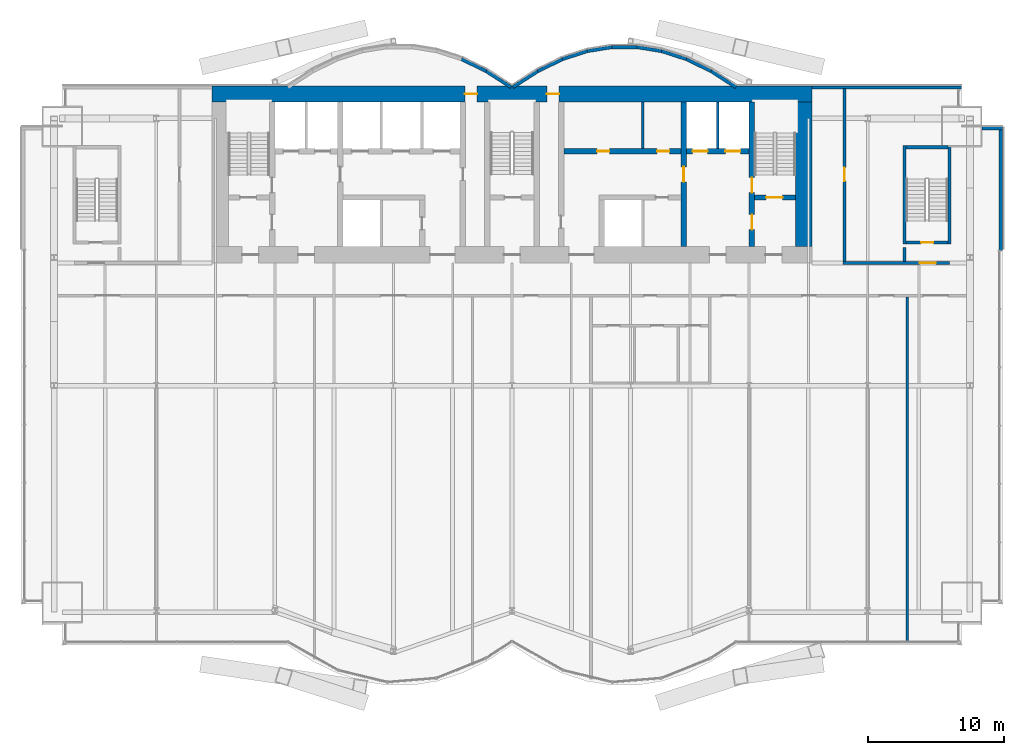
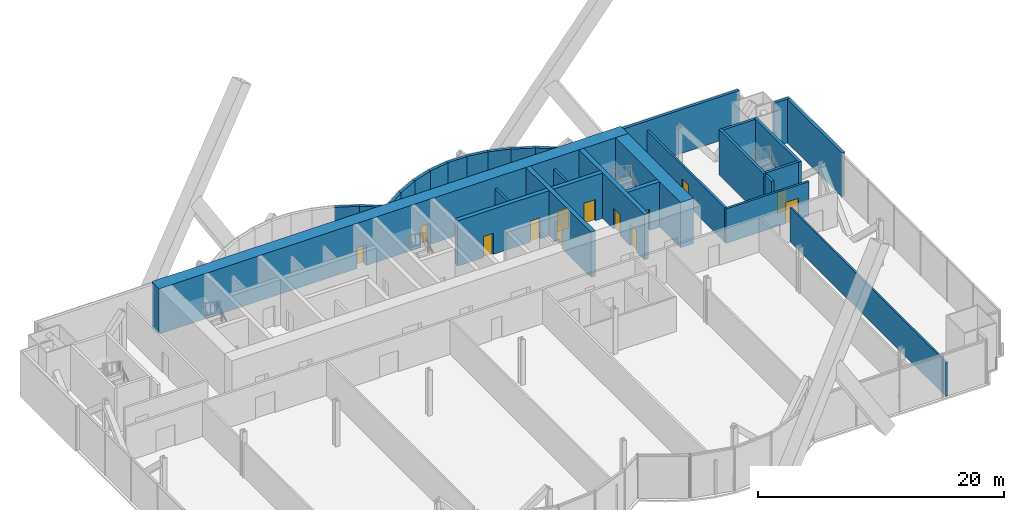
# One storey, part 19 of 23: 30 walls, 13 doors, 13 openings.
"""IFC4 building model written with IfcOpenShell, lengths in metres."""

from ifc_helpers import new_model, si_unit, direction, frame, frame_2d, origin, place, context, subcontext, project, spatial, rectangle, extrude, material, layer, layer_set, layer_usage, type_object, element, fill, save


model = new_model("IFC4")

# Units and contexts
model_context = context("Model", 3, precision=1e-05, world=origin(), true_north=direction((0.0, 1.0)))
body_context = subcontext(model_context, "Body", "Model", "MODEL_VIEW")
ifc_project = project(units=[si_unit("LENGTHUNIT", "METRE"), si_unit("AREAUNIT", "SQUARE_METRE"), si_unit("VOLUMEUNIT", "CUBIC_METRE"), si_unit("PLANEANGLEUNIT", "RADIAN"), si_unit("MASSUNIT", "GRAM", prefix="KILO")], contexts=[model_context])

# Site, building, storey
site_placement = place(None, origin())
site = spatial("IfcSite", under=ifc_project, at=site_placement, CompositionType="ELEMENT")
building_placement = place(site_placement, origin())
building = spatial("IfcBuilding", under=site, at=building_placement, Name="Bicima Exchange Tower", CompositionType="ELEMENT")
storey_placement = place(building_placement, frame((0.0, 0.0, 53.0)))
storey = spatial("IfcBuildingStorey", under=building, at=storey_placement, Name="L10", CompositionType="ELEMENT", Elevation=53.0)

# Wall
ifc_material_1 = material(Name="Gypsum board partition")
ifc_layer_1 = layer(ifc_material_1, 0.199951171875)
ifc_layer_set_1 = layer_set([ifc_layer_1], Name="Gypsum board partition")
wall_type_1 = type_object("IfcWallType", Name="Fire-rated gypsum partition 200 EI120", PredefinedType="PARTITIONING", material=ifc_layer_set_1)
wall_1_placement = place(storey_placement, frame((15.10009765625, -4.60009765625, 0.0), z_axis=(0.0, 0.0, 1.0), x_axis=(0.0, 1.0, 0.0)))
element("IfcWall", 1, at=wall_1_placement, inside=storey, type_object=wall_type_1, Name="partition wall 23", PredefinedType="PARTITIONING", context=body_context, shape_type="SweptSolid", body=[
    extrude(rectangle(XDim=3.400146484375, YDim=0.199951171875, at=frame_2d((1.7001953125, 0.0))), origin(), (0.0, 0.0, 1.0), 3.418212890625),
])

# Wall, opening, door
ifc_layer_2 = layer(ifc_material_1, 0.199951171875)
ifc_layer_set_2 = layer_set([ifc_layer_2], Name="Gypsum board partition")
wall_type_2 = type_object("IfcWallType", Name="Fire-rated gypsum partition 200 EI60", PredefinedType="PARTITIONING", material=ifc_layer_set_2)
wall_2_placement = place(storey_placement, frame((24.300048828125, -13.0, 0.0), z_axis=(0.0, 0.0, 1.0), x_axis=(1.0, 0.0, 0.0)))
wall_2 = element("IfcWall", 2, at=wall_2_placement, inside=storey, type_object=wall_type_2, Name="partition wall 5", PredefinedType="PARTITIONING", context=body_context, shape_type="SweptSolid", body=[
    extrude(rectangle(XDim=7.800048828125, YDim=0.199951171875, at=frame_2d((3.89990234375, 0.0))), origin(), (0.0, 0.0, 1.0), 3.418212890625),
])
opening_1_placement = place(wall_2_placement, frame((5.60009765625, 0.0, 0.0)))
opening_1 = element("IfcOpeningElement", 3, at=opening_1_placement, cuts=wall_2, Name="Opening L10-003", PredefinedType="OPENING", context=body_context, shape_type="SweptSolid", body=[
    extrude(rectangle(XDim=1.199951171875, YDim=2.10009765625, at=frame_2d((0.60009765625, 1.050048828125))), frame((0.0, 0.11181640625, 0.0), z_axis=(0.0, -1.0, 0.0), x_axis=(1.0, 0.0, 0.0)), (0.0, 0.0, 1.0), 0.223876953125),
])
ifc_material_2 = material(Name="Steel fire door leaf", Category="steel")
door_type_1 = type_object("IfcDoorType", Name="Door 1200 swing FD30S", OperationType="SINGLE_SWING_LEFT", PredefinedType="DOOR", material=ifc_material_2)
door_1_placement = place(opening_1_placement, origin())
door_1 = element("IfcDoor", 4, at=door_1_placement, inside=storey, type_object=door_type_1, Name="Door", OperationType="SINGLE_SWING_RIGHT", OverallHeight=2.10009765625, OverallWidth=1.199951171875, PredefinedType="DOOR", context=body_context, shape_type="SweptSolid", body=[
    extrude(rectangle(XDim=1.199951171875, YDim=2.10009765625, at=frame_2d((0.60009765625, 1.050048828125))), frame((0.0, 0.02490234375, 0.0), z_axis=(0.0, -1.0, 0.0), x_axis=(1.0, 0.0, 0.0)), (0.0, 0.0, 1.0), 0.050048828125),
])
fill(opening_1, door_1)

wall_3_placement = place(storey_placement, frame((24.39990234375, -12.89990234375, 0.0), z_axis=(0.0, 0.0, 1.0), x_axis=(0.0, 1.0, 0.0)))
wall_3 = element("IfcWall", 5, at=wall_3_placement, inside=storey, type_object=wall_type_2, Name="partition wall 25", PredefinedType="PARTITIONING", context=body_context, shape_type="SweptSolid", body=[
    extrude(rectangle(XDim=12.68994140625, YDim=0.199951171875, at=frame_2d((6.344970703125, 0.0))), origin(), (0.0, 0.0, 1.0), 3.418212890625),
])
opening_2_placement = place(wall_3_placement, frame((5.89990234375, 0.0, 0.0)))
opening_2 = element("IfcOpeningElement", 6, at=opening_2_placement, cuts=wall_3, Name="Opening L10-006", PredefinedType="OPENING", context=body_context, shape_type="SweptSolid", body=[
    extrude(rectangle(XDim=1.0, YDim=2.10009765625, at=frame_2d((0.5, 1.050048828125))), frame((0.0, 0.11181640625, 0.0), z_axis=(0.0, -1.0, 0.0), x_axis=(1.0, 0.0, 0.0)), (0.0, 0.0, 1.0), 0.223876953125),
])
door_type_2 = type_object("IfcDoorType", Name="Door 1000 swing FD30S", OperationType="SINGLE_SWING_LEFT", PredefinedType="DOOR", material=ifc_material_2)
door_2_placement = place(opening_2_placement, frame((1.0, 0.0, 0.0), z_axis=(0.0, 0.0, 1.0), x_axis=(-1.0, 0.0, 0.0)))
door_2 = element("IfcDoor", 7, at=door_2_placement, inside=storey, type_object=door_type_2, Name="Door", OperationType="SINGLE_SWING_RIGHT", OverallHeight=2.10009765625, OverallWidth=1.0, PredefinedType="DOOR", context=body_context, shape_type="SweptSolid", body=[
    extrude(rectangle(XDim=1.0, YDim=2.10009765625, at=frame_2d((0.5, 1.050048828125))), frame((0.0, 0.02490234375, 0.0), z_axis=(0.0, -1.0, 0.0), x_axis=(1.0, 0.0, 0.0)), (0.0, 0.0, 1.0), 0.050048828125),
])
fill(opening_2, door_2)

# Walls
wall_4_placement = place(storey_placement, frame((9.60009765625, -4.60009765625, 0.0), z_axis=(0.0, 0.0, 1.0), x_axis=(0.0, 1.0, 0.0)))
element("IfcWall", 8, at=wall_4_placement, inside=storey, type_object=wall_type_2, Name="partition wall 21", PredefinedType="PARTITIONING", context=body_context, shape_type="SweptSolid", body=[
    extrude(rectangle(XDim=3.400146484375, YDim=0.199951171875, at=frame_2d((1.7001953125, 0.0))), origin(), (0.0, 0.0, 1.0), 3.418212890625),
])
ifc_layer_3 = layer(ifc_material_1, 0.14990234375)
ifc_layer_set_3 = layer_set([ifc_layer_3], Name="Gypsum board partition")
wall_type_3 = type_object("IfcWallType", Name="Gypsum partition 150", PredefinedType="PARTITIONING", material=ifc_layer_set_3)
wall_5_placement = place(storey_placement, frame((29.0, -40.81005859375, 0.0), z_axis=(0.0, 0.0, 1.0), x_axis=(0.0, 1.0, 0.0)))
element("IfcWall", 9, at=wall_5_placement, inside=storey, type_object=wall_type_3, Name="partition wall 28", PredefinedType="PARTITIONING", context=body_context, shape_type="SweptSolid", body=[
    extrude(rectangle(XDim=25.31005859375, YDim=0.14990234375, at=frame_2d((12.655029296875, 0.0))), origin(), (0.0, 0.0, 1.0), 3.418212890625),
])

# Wall, openings, doors
ifc_material_3 = material(Name="Concrete C60/75", Category="concrete")
ifc_layer_4 = layer(ifc_material_3, 1.199951171875)
ifc_layer_set_4 = layer_set([ifc_layer_4], Name="Concrete C60/75")
wall_type_4 = type_object("IfcWallType", Name="RC core wall 1200 C60/75", PredefinedType="SHEAR", material=ifc_layer_set_4)
wall_6_placement = place(storey_placement, frame((-22.0, -0.60009765625, 0.0), z_axis=(0.0, 0.0, 1.0), x_axis=(1.0, 0.0, 0.0)))
wall_6 = element("IfcWall", 10, at=wall_6_placement, inside=storey, type_object=wall_type_4, Name="Core wall north", PredefinedType="SHEAR", context=body_context, shape_type="SweptSolid", body=[
    extrude(rectangle(XDim=44.0, YDim=1.199951171875, at=frame_2d((22.0, 0.0))), origin(), (0.0, 0.0, 1.0), 4.5),
])
opening_3_placement = place(wall_6_placement, frame((18.550048828125, 0.0, 0.0)))
opening_3 = element("IfcOpeningElement", 11, at=opening_3_placement, cuts=wall_6, Name="Opening L10-C16", PredefinedType="OPENING", context=body_context, shape_type="SweptSolid", body=[
    extrude(rectangle(XDim=0.89990234375, YDim=2.10009765625, at=frame_2d((0.449951171875, 1.050048828125))), frame((0.0, 0.61181640625, 0.0), z_axis=(0.0, -1.0, 0.0), x_axis=(1.0, 0.0, 0.0)), (0.0, 0.0, 1.0), 1.223876953125),
])
opening_4_placement = place(wall_6_placement, frame((24.550048828125, 0.0, 0.0)))
opening_4 = element("IfcOpeningElement", 12, at=opening_4_placement, cuts=wall_6, Name="Opening L10-C17", PredefinedType="OPENING", context=body_context, shape_type="SweptSolid", body=[
    extrude(rectangle(XDim=0.89990234375, YDim=2.10009765625, at=frame_2d((0.449951171875, 1.050048828125))), frame((0.0, 0.61181640625, 0.0), z_axis=(0.0, -1.0, 0.0), x_axis=(1.0, 0.0, 0.0)), (0.0, 0.0, 1.0), 1.223876953125),
])
door_type_3 = type_object("IfcDoorType", Name="Door 900 swing FD30S", OperationType="SINGLE_SWING_LEFT", PredefinedType="DOOR", material=ifc_material_2)
door_3_placement = place(opening_3_placement, origin())
door_3 = element("IfcDoor", 13, at=door_3_placement, inside=storey, type_object=door_type_3, Name="Core door", OperationType="SINGLE_SWING_LEFT", OverallHeight=2.10009765625, OverallWidth=0.89990234375, PredefinedType="DOOR", context=body_context, shape_type="SweptSolid", body=[
    extrude(rectangle(XDim=0.89990234375, YDim=2.10009765625, at=frame_2d((0.449951171875, 1.050048828125))), frame((0.0, 0.02490234375, 0.0), z_axis=(0.0, -1.0, 0.0), x_axis=(1.0, 0.0, 0.0)), (0.0, 0.0, 1.0), 0.050048828125),
])
fill(opening_3, door_3)
door_4_placement = place(opening_4_placement, origin())
door_4 = element("IfcDoor", 14, at=door_4_placement, inside=storey, type_object=door_type_3, Name="Core door", OperationType="SINGLE_SWING_LEFT", OverallHeight=2.10009765625, OverallWidth=0.89990234375, PredefinedType="DOOR", context=body_context, shape_type="SweptSolid", body=[
    extrude(rectangle(XDim=0.89990234375, YDim=2.10009765625, at=frame_2d((0.449951171875, 1.050048828125))), frame((0.0, 0.02490234375, 0.0), z_axis=(0.0, -1.0, 0.0), x_axis=(1.0, 0.0, 0.0)), (0.0, 0.0, 1.0), 0.050048828125),
])
fill(opening_4, door_4)

# Walls
wall_7_placement = place(storey_placement, frame((21.39990234375, -11.800048828125, 0.0), z_axis=(0.0, 0.0, 1.0), x_axis=(0.0, 1.0, 0.0)))
element("IfcWall", 15, at=wall_7_placement, inside=storey, type_object=wall_type_4, Name="Core wall east", PredefinedType="SHEAR", context=body_context, shape_type="SweptSolid", body=[
    extrude(rectangle(XDim=10.60009765625, YDim=1.199951171875, at=frame_2d((5.300048828125, 0.0))), origin(), (0.0, 0.0, 1.0), 4.5),
])
ifc_material_4 = material(Name="Concrete C50/60", Category="concrete")
ifc_layer_5 = layer(ifc_material_4, 0.25)
ifc_layer_set_5 = layer_set([ifc_layer_5], Name="Concrete C50/60")
wall_type_5 = type_object("IfcWallType", Name="RC core wall 250 C50/60", PredefinedType="SHEAR", material=ifc_layer_set_5)
wall_8_placement = place(storey_placement, frame((28.800048828125, -12.89990234375, 0.0), z_axis=(0.0, 0.0, 1.0), x_axis=(0.0, 1.0, 0.0)))
element("IfcWall", 16, at=wall_8_placement, inside=storey, type_object=wall_type_5, Name="stair wall 27", PredefinedType="SHEAR", context=body_context, shape_type="SweptSolid", body=[
    extrude(rectangle(XDim=1.0498046875, YDim=0.25, at=frame_2d((0.52490234375, 0.0))), origin(), (0.0, 0.0, 1.0), 4.5),
])

# Wall, opening, door
ifc_layer_6 = layer(ifc_material_4, 0.39990234375)
ifc_layer_set_6 = layer_set([ifc_layer_6], Name="Concrete C50/60")
wall_type_6 = type_object("IfcWallType", Name="RC core wall 400 C50/60", PredefinedType="SHEAR", material=ifc_layer_set_6)
wall_9_placement = place(storey_placement, frame((17.800048828125, -8.199951171875, 0.0), z_axis=(0.0, 0.0, 1.0), x_axis=(1.0, 0.0, 0.0)))
wall_9 = element("IfcWall", 17, at=wall_9_placement, inside=storey, type_object=wall_type_6, Name="stair wall 5", PredefinedType="SHEAR", context=body_context, shape_type="SweptSolid", body=[
    extrude(rectangle(XDim=3.0, YDim=0.39990234375, at=frame_2d((1.5, 0.0))), origin(), (0.0, 0.0, 1.0), 4.5),
])
opening_5_placement = place(wall_9_placement, frame((0.85009765625, 0.0, 0.0)))
opening_5 = element("IfcOpeningElement", 18, at=opening_5_placement, cuts=wall_9, Name="Opening L10-C04", PredefinedType="OPENING", context=body_context, shape_type="SweptSolid", body=[
    extrude(rectangle(XDim=1.199951171875, YDim=2.10009765625, at=frame_2d((0.60009765625, 1.050048828125))), frame((0.0, 0.2119140625, 0.0), z_axis=(0.0, -1.0, 0.0), x_axis=(1.0, 0.0, 0.0)), (0.0, 0.0, 1.0), 0.423828125),
])
door_type_4 = type_object("IfcDoorType", Name="Door 1200 swing FD60S", OperationType="SINGLE_SWING_LEFT", PredefinedType="DOOR", material=ifc_material_2)
door_5_placement = place(opening_5_placement, origin())
door_5 = element("IfcDoor", 19, at=door_5_placement, inside=storey, type_object=door_type_4, Name="Core door", OperationType="SINGLE_SWING_RIGHT", OverallHeight=2.10009765625, OverallWidth=1.199951171875, PredefinedType="DOOR", context=body_context, shape_type="SweptSolid", body=[
    extrude(rectangle(XDim=1.199951171875, YDim=2.10009765625, at=frame_2d((0.60009765625, 1.050048828125))), frame((0.0, 0.02490234375, 0.0), z_axis=(0.0, -1.0, 0.0), x_axis=(1.0, 0.0, 0.0)), (0.0, 0.0, 1.0), 0.050048828125),
])
fill(opening_5, door_5)

# Wall, openings, doors
wall_10_placement = place(storey_placement, frame((17.60009765625, -11.800048828125, 0.0), z_axis=(0.0, 0.0, 1.0), x_axis=(0.0, 1.0, 0.0)))
wall_10 = element("IfcWall", 20, at=wall_10_placement, inside=storey, type_object=wall_type_6, Name="stair wall 24", PredefinedType="SHEAR", context=body_context, shape_type="SweptSolid", body=[
    extrude(rectangle(XDim=10.60009765625, YDim=0.39990234375, at=frame_2d((5.300048828125, 0.0))), origin(), (0.0, 0.0, 1.0), 4.5),
])
opening_6_placement = place(wall_10_placement, frame((1.25, 0.0, 0.0)))
opening_6 = element("IfcOpeningElement", 21, at=opening_6_placement, cuts=wall_10, Name="Opening L10-C05", PredefinedType="OPENING", context=body_context, shape_type="SweptSolid", body=[
    extrude(rectangle(XDim=1.10009765625, YDim=2.10009765625, at=frame_2d((0.550048828125, 1.050048828125))), frame((0.0, 0.2119140625, 0.0), z_axis=(0.0, -1.0, 0.0), x_axis=(1.0, 0.0, 0.0)), (0.0, 0.0, 1.0), 0.423828125),
])
opening_7_placement = place(wall_10_placement, frame((3.949951171875, 0.0, 0.0)))
opening_7 = element("IfcOpeningElement", 22, at=opening_7_placement, cuts=wall_10, Name="Opening L10-C08", PredefinedType="OPENING", context=body_context, shape_type="SweptSolid", body=[
    extrude(rectangle(XDim=1.10009765625, YDim=2.10009765625, at=frame_2d((0.550048828125, 1.050048828125))), frame((0.0, 0.2119140625, 0.0), z_axis=(0.0, -1.0, 0.0), x_axis=(1.0, 0.0, 0.0)), (0.0, 0.0, 1.0), 0.423828125),
])
door_type_5 = type_object("IfcDoorType", Name="Door 1100 swing FD60S", OperationType="SINGLE_SWING_LEFT", PredefinedType="DOOR", material=ifc_material_2)
door_6_placement = place(opening_6_placement, origin())
door_6 = element("IfcDoor", 23, at=door_6_placement, inside=storey, type_object=door_type_5, Name="Core door", OperationType="SINGLE_SWING_LEFT", OverallHeight=2.10009765625, OverallWidth=1.10009765625, PredefinedType="DOOR", context=body_context, shape_type="SweptSolid", body=[
    extrude(rectangle(XDim=1.10009765625, YDim=2.10009765625, at=frame_2d((0.550048828125, 1.050048828125))), frame((0.0, 0.02490234375, 0.0), z_axis=(0.0, -1.0, 0.0), x_axis=(1.0, 0.0, 0.0)), (0.0, 0.0, 1.0), 0.050048828125),
])
fill(opening_6, door_6)
door_7_placement = place(opening_7_placement, origin())
door_7 = element("IfcDoor", 24, at=door_7_placement, inside=storey, type_object=door_type_5, Name="Core door", OperationType="SINGLE_SWING_RIGHT", OverallHeight=2.10009765625, OverallWidth=1.10009765625, PredefinedType="DOOR", context=body_context, shape_type="SweptSolid", body=[
    extrude(rectangle(XDim=1.10009765625, YDim=2.10009765625, at=frame_2d((0.550048828125, 1.050048828125))), frame((0.0, 0.02490234375, 0.0), z_axis=(0.0, -1.0, 0.0), x_axis=(1.0, 0.0, 0.0)), (0.0, 0.0, 1.0), 0.050048828125),
])
fill(opening_7, door_7)

ifc_layer_7 = layer(ifc_material_3, 0.39990234375)
ifc_layer_set_7 = layer_set([ifc_layer_7], Name="Concrete C60/75")
wall_type_7 = type_object("IfcWallType", Name="RC core wall 400 C60/75", PredefinedType="SHEAR", material=ifc_layer_set_7)
wall_11_placement = place(storey_placement, frame((3.800048828125, -4.800048828125, 0.0), z_axis=(0.0, 0.0, 1.0), x_axis=(1.0, 0.0, 0.0)))
wall_11 = element("IfcWall", 25, at=wall_11_placement, inside=storey, type_object=wall_type_7, Name="shear wall 7", PredefinedType="SHEAR", context=body_context, shape_type="SweptSolid", body=[
    extrude(rectangle(XDim=13.599853515625, YDim=0.39990234375, at=frame_2d((6.7998046875, 0.0))), origin(), (0.0, 0.0, 1.0), 4.5),
])
opening_8_placement = place(wall_11_placement, frame((9.449951171875, 0.0, 0.0)))
opening_8 = element("IfcOpeningElement", 26, at=opening_8_placement, cuts=wall_11, Name="Opening LD-FF2-L10", PredefinedType="OPENING", context=body_context, shape_type="SweptSolid", body=[
    extrude(rectangle(XDim=1.10009765625, YDim=2.10009765625, at=frame_2d((0.550048828125, 1.050048828125))), frame((0.0, 0.2119140625, 0.0), z_axis=(0.0, -1.0, 0.0), x_axis=(1.0, 0.0, 0.0)), (0.0, 0.0, 1.0), 0.423828125),
])
opening_9_placement = place(wall_11_placement, frame((11.85009765625, 0.0, 0.0)))
opening_9 = element("IfcOpeningElement", 27, at=opening_9_placement, cuts=wall_11, Name="Opening LD-SV1-L10", PredefinedType="OPENING", context=body_context, shape_type="SweptSolid", body=[
    extrude(rectangle(XDim=1.10009765625, YDim=2.10009765625, at=frame_2d((0.550048828125, 1.050048828125))), frame((0.0, 0.2119140625, 0.0), z_axis=(0.0, -1.0, 0.0), x_axis=(1.0, 0.0, 0.0)), (0.0, 0.0, 1.0), 0.423828125),
])
opening_10_placement = place(wall_11_placement, frame((2.449951171875, 0.0, 0.0)))
opening_10 = element("IfcOpeningElement", 28, at=opening_10_placement, cuts=wall_11, Name="Opening L10-C12", PredefinedType="OPENING", context=body_context, shape_type="SweptSolid", body=[
    extrude(rectangle(XDim=0.89990234375, YDim=2.10009765625, at=frame_2d((0.449951171875, 1.050048828125))), frame((0.0, 0.2119140625, 0.0), z_axis=(0.0, -1.0, 0.0), x_axis=(1.0, 0.0, 0.0)), (0.0, 0.0, 1.0), 0.423828125),
])
opening_11_placement = place(wall_11_placement, frame((6.85009765625, 0.0, 0.0)))
opening_11 = element("IfcOpeningElement", 29, at=opening_11_placement, cuts=wall_11, Name="Opening L10-C13", PredefinedType="OPENING", context=body_context, shape_type="SweptSolid", body=[
    extrude(rectangle(XDim=0.89990234375, YDim=2.10009765625, at=frame_2d((0.449951171875, 1.050048828125))), frame((0.0, 0.2119140625, 0.0), z_axis=(0.0, -1.0, 0.0), x_axis=(1.0, 0.0, 0.0)), (0.0, 0.0, 1.0), 0.423828125),
])
door_8_placement = place(opening_10_placement, origin())
door_8 = element("IfcDoor", 30, at=door_8_placement, inside=storey, type_object=door_type_3, Name="Core door", OperationType="SINGLE_SWING_RIGHT", OverallHeight=2.10009765625, OverallWidth=0.89990234375, PredefinedType="DOOR", context=body_context, shape_type="SweptSolid", body=[
    extrude(rectangle(XDim=0.89990234375, YDim=2.10009765625, at=frame_2d((0.449951171875, 1.050048828125))), frame((0.0, 0.02490234375, 0.0), z_axis=(0.0, -1.0, 0.0), x_axis=(1.0, 0.0, 0.0)), (0.0, 0.0, 1.0), 0.050048828125),
])
fill(opening_10, door_8)
door_9_placement = place(opening_11_placement, origin())
door_9 = element("IfcDoor", 31, at=door_9_placement, inside=storey, type_object=door_type_3, Name="Core door", OperationType="SINGLE_SWING_LEFT", OverallHeight=2.10009765625, OverallWidth=0.89990234375, PredefinedType="DOOR", context=body_context, shape_type="SweptSolid", body=[
    extrude(rectangle(XDim=0.89990234375, YDim=2.10009765625, at=frame_2d((0.449951171875, 1.050048828125))), frame((0.0, 0.02490234375, 0.0), z_axis=(0.0, -1.0, 0.0), x_axis=(1.0, 0.0, 0.0)), (0.0, 0.0, 1.0), 0.050048828125),
])
fill(opening_11, door_9)
ifc_material_5 = material(Name="Stainless steel", Category="steel")
door_type_6 = type_object("IfcDoorType", Name="Lift landing door 1100 sliding", OperationType="DOUBLE_DOOR_SLIDING", PredefinedType="DOOR", material=ifc_material_5)
door_10_placement = place(opening_8_placement, origin())
door_10 = element("IfcDoor", 32, at=door_10_placement, inside=storey, type_object=door_type_6, Name="Lift landing door FF2", OperationType="DOUBLE_DOOR_SLIDING", OverallHeight=2.10009765625, OverallWidth=1.10009765625, PredefinedType="DOOR", context=body_context, shape_type="SweptSolid", body=[
    extrude(rectangle(XDim=1.10009765625, YDim=2.10009765625, at=frame_2d((0.550048828125, 1.050048828125))), frame((0.0, 0.02490234375, 0.0), z_axis=(0.0, -1.0, 0.0), x_axis=(1.0, 0.0, 0.0)), (0.0, 0.0, 1.0), 0.050048828125),
])
fill(opening_8, door_10)
door_11_placement = place(opening_9_placement, origin())
door_11 = element("IfcDoor", 33, at=door_11_placement, inside=storey, type_object=door_type_6, Name="Lift landing door SV1", OperationType="DOUBLE_DOOR_SLIDING", OverallHeight=2.10009765625, OverallWidth=1.10009765625, PredefinedType="DOOR", context=body_context, shape_type="SweptSolid", body=[
    extrude(rectangle(XDim=1.10009765625, YDim=2.10009765625, at=frame_2d((0.550048828125, 1.050048828125))), frame((0.0, 0.02490234375, 0.0), z_axis=(0.0, -1.0, 0.0), x_axis=(1.0, 0.0, 0.0)), (0.0, 0.0, 1.0), 0.050048828125),
])
fill(opening_9, door_11)

# Wall, opening, door
wall_12_placement = place(storey_placement, frame((12.60009765625, -11.800048828125, 0.0), z_axis=(0.0, 0.0, 1.0), x_axis=(0.0, 1.0, 0.0)))
wall_12 = element("IfcWall", 34, at=wall_12_placement, inside=storey, type_object=wall_type_7, Name="shear wall 22", PredefinedType="SHEAR", context=body_context, shape_type="SweptSolid", body=[
    extrude(rectangle(XDim=10.60009765625, YDim=0.39990234375, at=frame_2d((5.300048828125, 0.0))), origin(), (0.0, 0.0, 1.0), 4.5),
])
opening_12_placement = place(wall_12_placement, frame((4.75, 0.0, 0.0)))
opening_12 = element("IfcOpeningElement", 35, at=opening_12_placement, cuts=wall_12, Name="Opening L10-C09", PredefinedType="OPENING", context=body_context, shape_type="SweptSolid", body=[
    extrude(rectangle(XDim=1.10009765625, YDim=2.10009765625, at=frame_2d((0.550048828125, 1.050048828125))), frame((0.0, 0.2119140625, 0.0), z_axis=(0.0, -1.0, 0.0), x_axis=(1.0, 0.0, 0.0)), (0.0, 0.0, 1.0), 0.423828125),
])
door_12_placement = place(opening_12_placement, frame((1.10009765625, 0.0, 0.0), z_axis=(0.0, 0.0, 1.0), x_axis=(-1.0, 0.0, 0.0)))
door_12 = element("IfcDoor", 36, at=door_12_placement, inside=storey, type_object=door_type_5, Name="Core door", OperationType="SINGLE_SWING_RIGHT", OverallHeight=2.10009765625, OverallWidth=1.10009765625, PredefinedType="DOOR", context=body_context, shape_type="SweptSolid", body=[
    extrude(rectangle(XDim=1.10009765625, YDim=2.10009765625, at=frame_2d((0.550048828125, 1.050048828125))), frame((0.0, 0.02490234375, 0.0), z_axis=(0.0, -1.0, 0.0), x_axis=(1.0, 0.0, 0.0)), (0.0, 0.0, 1.0), 0.050048828125),
])
fill(opening_12, door_12)

# Walls
ifc_layer_8 = layer(ifc_material_4, 0.25)
ifc_layer_set_8 = layer_set([ifc_layer_8], Name="Concrete C50/60")
wall_type_8 = type_object("IfcWallType", Name="RC stair enclosure wall 250 C50/60", PredefinedType="SHEAR", material=ifc_layer_set_8)
for number, where, z_axis, x_axis, name in (
    (37, (28.800048828125, -11.625, 0.0), (0.0, 0.0, 1.0), (0.0, 1.0, 0.0), "East end exit stair wall W"),
    (38, (32.10009765625, -11.625, 0.0), (0.0, 0.0, 1.0), (0.0, 1.0, 0.0), "East end exit stair wall E"),
):
    element("IfcWall", number, at=place(storey_placement, frame(where, z_axis=z_axis, x_axis=x_axis)), inside=storey, type_object=wall_type_8, Name=name, PredefinedType="SHEAR", context=body_context, shape_type="SweptSolid", body=[
        extrude(rectangle(XDim=7.25, YDim=0.25, at=frame_2d((3.625, 0.0))), origin(), (0.0, 0.0, 1.0), 4.5),
    ])

# Wall, opening, door
wall_13_placement = place(storey_placement, frame((28.925048828125, -11.5, 0.0), z_axis=(0.0, 0.0, 1.0), x_axis=(1.0, 0.0, 0.0)))
wall_13 = element("IfcWall", 39, at=wall_13_placement, inside=storey, type_object=wall_type_8, Name="East end exit stair wall S", PredefinedType="SHEAR", context=body_context, shape_type="SweptSolid", body=[
    extrude(rectangle(XDim=3.050048828125, YDim=0.25, at=frame_2d((1.52490234375, 0.0))), origin(), (0.0, 0.0, 1.0), 4.5),
])
opening_13_placement = place(wall_13_placement, frame((1.10009765625, 0.0, 0.0)))
opening_13 = element("IfcOpeningElement", 40, at=opening_13_placement, cuts=wall_13, Name="Opening L10-004", PredefinedType="OPENING", context=body_context, shape_type="SweptSolid", body=[
    extrude(rectangle(XDim=0.89990234375, YDim=2.10009765625, at=frame_2d((0.449951171875, 1.050048828125))), frame((0.0, 0.136962890625, 0.0), z_axis=(0.0, -1.0, 0.0), x_axis=(1.0, 0.0, 0.0)), (0.0, 0.0, 1.0), 0.27392578125),
])
door_type_7 = type_object("IfcDoorType", Name="Door 900 swing FD60S", OperationType="SINGLE_SWING_LEFT", PredefinedType="DOOR", material=ifc_material_2)
door_13_placement = place(opening_13_placement, origin())
door_13 = element("IfcDoor", 41, at=door_13_placement, inside=storey, type_object=door_type_7, Name="Door", OperationType="SINGLE_SWING_LEFT", OverallHeight=2.10009765625, OverallWidth=0.89990234375, PredefinedType="DOOR", context=body_context, shape_type="SweptSolid", body=[
    extrude(rectangle(XDim=0.89990234375, YDim=2.10009765625, at=frame_2d((0.449951171875, 1.050048828125))), frame((0.0, 0.02490234375, 0.0), z_axis=(0.0, -1.0, 0.0), x_axis=(1.0, 0.0, 0.0)), (0.0, 0.0, 1.0), 0.050048828125),
])
fill(opening_13, door_13)

# Walls
wall_14_placement = place(storey_placement, frame((28.925048828125, -4.5, 0.0), z_axis=(0.0, 0.0, 1.0), x_axis=(1.0, 0.0, 0.0)))
element("IfcWall", 42, at=wall_14_placement, inside=storey, type_object=wall_type_8, Name="East end exit stair wall N", PredefinedType="SHEAR", context=body_context, shape_type="SweptSolid", body=[
    extrude(rectangle(XDim=3.050048828125, YDim=0.25, at=frame_2d((1.52490234375, 0.0))), origin(), (0.0, 0.0, 1.0), 4.5),
])
ifc_material_6 = material(Name="Concrete C40/50", Category="concrete")
ifc_layer_9 = layer(ifc_material_6, 0.25)
ifc_layer_set_9 = layer_set([ifc_layer_9], Name="Concrete C40/50")
ifc_layer_usage = layer_usage(ifc_layer_set_9, "AXIS2", "POSITIVE", -0.125)
wall_type_9 = type_object("IfcWallType", Name="Rear backup wall 250", PredefinedType="STANDARD", material=ifc_layer_set_9)
wall_15_placement = place(storey_placement, frame((33.0, -0.125, 0.0), z_axis=(0.0, 0.0, 1.0), x_axis=(-1.0, 0.0, 0.0)))
element("IfcWall", 43, at=wall_15_placement, inside=storey, type_object=wall_type_9, material=ifc_layer_usage, Name="Rear backup wall L10 1", PredefinedType="STANDARD", context=body_context, shape_type="SweptSolid", body=[
    extrude(rectangle(XDim=11.0, YDim=0.25, at=frame_2d((5.5, 0.0))), origin(), (0.0, 0.0, 1.0), 4.35009765625),
])
wall_16_placement = place(storey_placement, frame((16.43212890625, -0.10498046875, 0.0), z_axis=(0.0, 0.0, 1.0), x_axis=(-0.83981312244, 0.542875602121, 0.0)))
element("IfcWall", 44, at=wall_16_placement, inside=storey, type_object=wall_type_9, material=ifc_layer_usage, Name="Rear backup wall L10 2", PredefinedType="STANDARD", context=body_context, shape_type="SweptSolid", body=[
    extrude(rectangle(XDim=2.182861328125, YDim=0.25, at=frame_2d((1.09130859375, 0.0))), origin(), (0.0, 0.0, 1.0), 4.35009765625),
])
wall_17_placement = place(storey_placement, frame((14.6123046875, 1.07275390625, 0.0), z_axis=(0.0, 0.0, 1.0), x_axis=(-0.89982408427, 0.436252928206, 0.0)))
element("IfcWall", 45, at=wall_17_placement, inside=storey, type_object=wall_type_9, material=ifc_layer_usage, Name="Rear backup wall L10 3", PredefinedType="STANDARD", context=body_context, shape_type="SweptSolid", body=[
    extrude(rectangle(XDim=2.03759765625, YDim=0.25, at=frame_2d((1.018798828125, 0.0))), origin(), (0.0, 0.0, 1.0), 4.35009765625),
])
wall_18_placement = place(storey_placement, frame((12.794921875, 1.955078125, 0.0), z_axis=(0.0, 0.0, 1.0), x_axis=(-0.951495806175, 0.307661714928, 0.0)))
element("IfcWall", 46, at=wall_18_placement, inside=storey, type_object=wall_type_9, material=ifc_layer_usage, Name="Rear backup wall L10 4", PredefinedType="STANDARD", context=body_context, shape_type="SweptSolid", body=[
    extrude(rectangle(XDim=1.9267578125, YDim=0.25, at=frame_2d((0.96337890625, 0.0))), origin(), (0.0, 0.0, 1.0), 4.35009765625),
])
wall_19_placement = place(storey_placement, frame((10.97998046875, 2.543212890625, 0.0), z_axis=(0.0, 0.0, 1.0), x_axis=(-0.987181718931, 0.159600293885, 0.0)))
element("IfcWall", 47, at=wall_19_placement, inside=storey, type_object=wall_type_9, material=ifc_layer_usage, Name="Rear backup wall L10 5", PredefinedType="STANDARD", context=body_context, shape_type="SweptSolid", body=[
    extrude(rectangle(XDim=1.857177734375, YDim=0.25, at=frame_2d((0.9287109375, 0.0))), origin(), (0.0, 0.0, 1.0), 4.35009765625),
])
wall_20_placement = place(storey_placement, frame((9.166748046875, 2.837890625, 0.0), z_axis=(0.0, 0.0, 1.0), x_axis=(-1.0, 0.0, 0.0)))
element("IfcWall", 48, at=wall_20_placement, inside=storey, type_object=wall_type_9, material=ifc_layer_usage, Name="Rear backup wall L10 6", PredefinedType="STANDARD", context=body_context, shape_type="SweptSolid", body=[
    extrude(rectangle(XDim=1.83349609375, YDim=0.25, at=frame_2d((0.916748046875, 0.0))), origin(), (0.0, 0.0, 1.0), 4.35009765625),
])
wall_21_placement = place(storey_placement, frame((7.353271484375, 2.839599609375, 0.0), z_axis=(0.0, 0.0, 1.0), x_axis=(-0.987181718931, -0.159600293885, 0.0)))
element("IfcWall", 49, at=wall_21_placement, inside=storey, type_object=wall_type_9, material=ifc_layer_usage, Name="Rear backup wall L10 7", PredefinedType="STANDARD", context=body_context, shape_type="SweptSolid", body=[
    extrude(rectangle(XDim=1.857177734375, YDim=0.25, at=frame_2d((0.9287109375, 0.0))), origin(), (0.0, 0.0, 1.0), 4.35009765625),
])
wall_22_placement = place(storey_placement, frame((5.538330078125, 2.5478515625, 0.0), z_axis=(0.0, 0.0, 1.0), x_axis=(-0.951495806175, -0.307661714928, 0.0)))
element("IfcWall", 50, at=wall_22_placement, inside=storey, type_object=wall_type_9, material=ifc_layer_usage, Name="Rear backup wall L10 8", PredefinedType="STANDARD", context=body_context, shape_type="SweptSolid", body=[
    extrude(rectangle(XDim=1.9267578125, YDim=0.25, at=frame_2d((0.96337890625, 0.0))), origin(), (0.0, 0.0, 1.0), 4.35009765625),
])
wall_23_placement = place(storey_placement, frame((3.72119140625, 1.961669921875, 0.0), z_axis=(0.0, 0.0, 1.0), x_axis=(-0.89982408427, -0.436252928206, 0.0)))
element("IfcWall", 51, at=wall_23_placement, inside=storey, type_object=wall_type_9, material=ifc_layer_usage, Name="Rear backup wall L10 9", PredefinedType="STANDARD", context=body_context, shape_type="SweptSolid", body=[
    extrude(rectangle(XDim=2.03759765625, YDim=0.25, at=frame_2d((1.018798828125, 0.0))), origin(), (0.0, 0.0, 1.0), 4.35009765625),
])
for number, where, z_axis, x_axis, name in (
    (52, (1.901123046875, 1.080078125, 0.0), (0.0, 0.0, 1.0), (-0.83981312244, -0.542875602121, 0.0), "Rear backup wall L10 10"),
    (53, (-0.06787109375, -0.10498046875, 0.0), (0.0, 0.0, 1.0), (-0.83981312244, 0.542875602121, 0.0), "Rear backup wall L10 11"),
):
    element("IfcWall", number, at=place(storey_placement, frame(where, z_axis=z_axis, x_axis=x_axis)), inside=storey, type_object=wall_type_9, material=ifc_layer_usage, Name=name, PredefinedType="STANDARD", context=body_context, shape_type="SweptSolid", body=[
        extrude(rectangle(XDim=2.182861328125, YDim=0.25, at=frame_2d((1.09130859375, 0.0))), origin(), (0.0, 0.0, 1.0), 4.35009765625),
    ])
wall_24_placement = place(storey_placement, frame((-1.8876953125, 1.07275390625, 0.0), z_axis=(0.0, 0.0, 1.0), x_axis=(-0.89982408427, 0.436252928206, 0.0)))
element("IfcWall", 54, at=wall_24_placement, inside=storey, type_object=wall_type_9, material=ifc_layer_usage, Name="Rear backup wall L10 12", PredefinedType="STANDARD", context=body_context, shape_type="SweptSolid", body=[
    extrude(rectangle(XDim=2.03759765625, YDim=0.25, at=frame_2d((1.018798828125, 0.0))), origin(), (0.0, 0.0, 1.0), 4.35009765625),
])
wall_25_placement = place(storey_placement, frame((35.875, -12.090087890625, 0.0), z_axis=(0.0, 0.0, 1.0), x_axis=(0.0, 1.0, 0.0)))
element("IfcWall", 55, at=wall_25_placement, inside=storey, type_object=wall_type_9, material=ifc_layer_usage, Name="Rear backup wall L10 50", PredefinedType="STANDARD", context=body_context, shape_type="SweptSolid", body=[
    extrude(rectangle(XDim=9.090087890625, YDim=0.25, at=frame_2d((4.544921875, 0.0))), origin(), (0.0, 0.0, 1.0), 4.35009765625),
])
wall_26_placement = place(storey_placement, frame((36.0, -3.125, 0.0), z_axis=(0.0, 0.0, 1.0), x_axis=(-1.0, 0.0, 0.0)))
element("IfcWall", 56, at=wall_26_placement, inside=storey, type_object=wall_type_9, material=ifc_layer_usage, Name="Rear backup wall L10 51", PredefinedType="STANDARD", context=body_context, shape_type="SweptSolid", body=[
    extrude(rectangle(XDim=1.5, YDim=0.25, at=frame_2d((0.75, 0.0))), origin(), (0.0, 0.0, 1.0), 4.35009765625),
])

save(model, "model.ifc")
